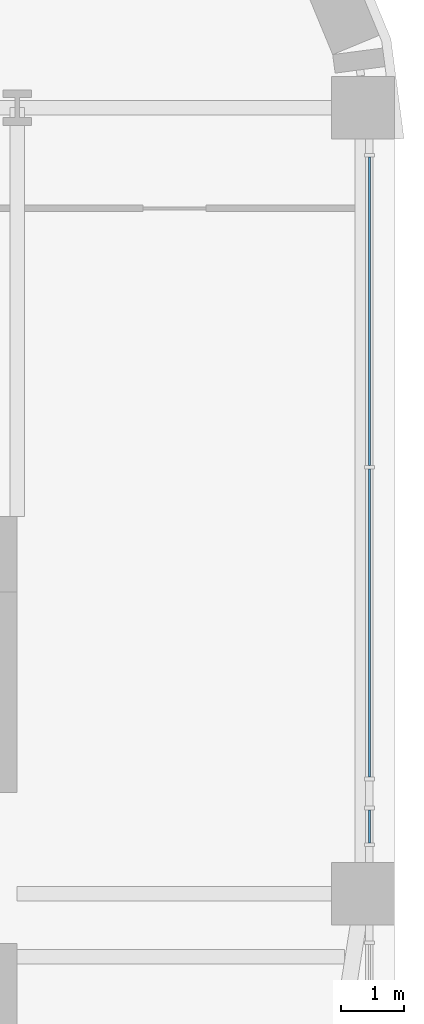
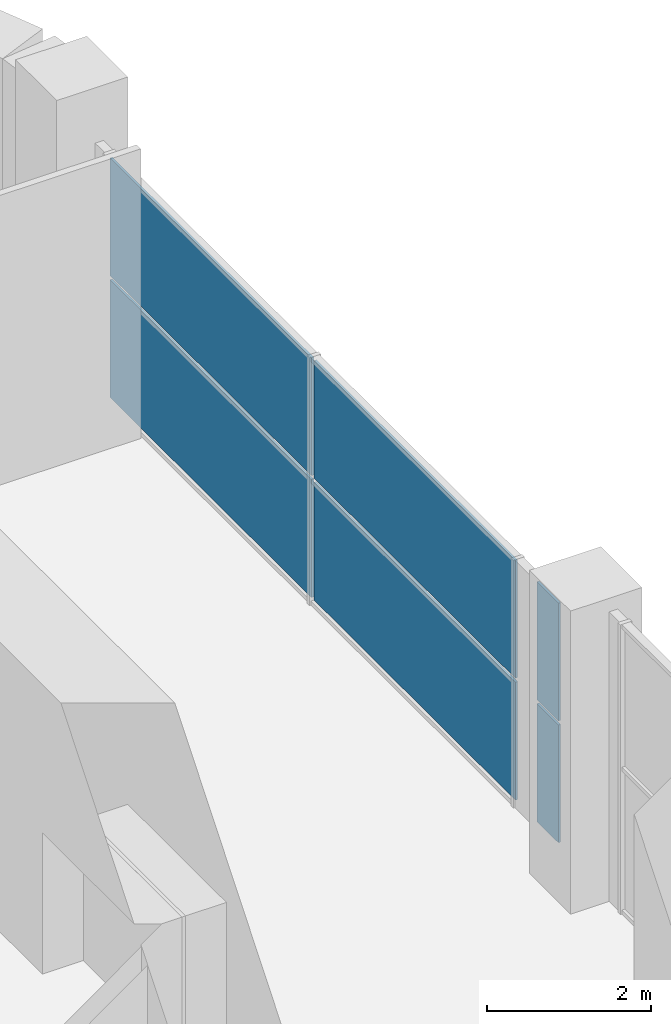
# One storey, part 15 of 24: 6 plates, 2 elements without a shape of their own.
"""IFC4 building model written with IfcOpenShell, lengths in metres."""

from ifc_helpers import new_model, si_unit, direction, frame, origin, origin_2d, place, context, subcontext, project, spatial, rectangle, extrude, material, layer, layer_set, type_object, element, aggregate, save


model = new_model("IFC4")

# Units and contexts
model_context = context("Model", 3, precision=1e-05, world=origin(), true_north=direction((0.0, 1.0)))
body_context = subcontext(model_context, "Body", "Model", "MODEL_VIEW")
ifc_project = project(units=[si_unit("LENGTHUNIT", "METRE"), si_unit("AREAUNIT", "SQUARE_METRE"), si_unit("VOLUMEUNIT", "CUBIC_METRE"), si_unit("PLANEANGLEUNIT", "RADIAN"), si_unit("MASSUNIT", "GRAM", prefix="KILO")], contexts=[model_context])

# Site, building, storey
site_placement = place(None, origin())
site = spatial("IfcSite", under=ifc_project, at=site_placement, CompositionType="ELEMENT")
building_placement = place(site_placement, origin())
building = spatial("IfcBuilding", under=site, at=building_placement, Name="Zellij Exchange Tower", CompositionType="ELEMENT")
storey_placement = place(building_placement, frame((0.0, 0.0, 48.0)))
storey = spatial("IfcBuildingStorey", under=building, at=storey_placement, Name="L08", CompositionType="ELEMENT", Elevation=48.0)

# Curtain wall, plates
ifc_material_1 = material(Name="Aluminium frame, clear insulating glass", Category="aluminium")
curtain_wall_type = type_object("IfcCurtainWallType", Name="ENV-CW1 Sky-garden glazing", PredefinedType="NOTDEFINED", material=ifc_material_1)
curtain_wall_1_placement = place(storey_placement, origin())
curtain_wall_1 = element("IfcCurtainWall", 1, at=curtain_wall_1_placement, inside=storey, type_object=curtain_wall_type, Name="cw.L08.07d", PredefinedType="NOTDEFINED")
ifc_material_2 = material(Name="Insulating glass unit, clear", Category="glass")
ifc_layer = layer(ifc_material_2, 0.031982421875)
ifc_layer_set = layer_set([ifc_layer], Name="Insulating glass unit, clear")
plate_type = type_object("IfcPlateType", Name="ENV-CW1P Glazed panel 32", PredefinedType="CURTAIN_PANEL", material=ifc_layer_set)
plate_1_placement = place(storey_placement, frame((32.60009765625, -6.927734375, 0.06005859375), z_axis=(0.0, 0.0, 1.0), x_axis=(0.0, 1.0, 0.0)))
plate_1 = element("IfcPlate", 2, at=plate_1_placement, type_object=plate_type, Name="CW1 panel 1.1", PredefinedType="CURTAIN_PANEL", context=body_context, shape_type="SweptSolid", body=[
    extrude(rectangle(XDim=0.524658203125, YDim=0.031982421875, at=origin_2d()), origin(), (0.0, 0.0, 1.0), 1.748779296875),
])
plate_2_placement = place(storey_placement, frame((32.60009765625, -6.927734375, 1.869140625), z_axis=(0.0, 0.0, 1.0), x_axis=(0.0, 1.0, 0.0)))
plate_2 = element("IfcPlate", 3, at=plate_2_placement, type_object=plate_type, Name="CW1 panel 1.2", PredefinedType="CURTAIN_PANEL", context=body_context, shape_type="SweptSolid", body=[
    extrude(rectangle(XDim=0.524658203125, YDim=0.031982421875, at=origin_2d()), origin(), (0.0, 0.0, 1.0), 1.748779296875),
])
aggregate(curtain_wall_1, [plate_1, plate_2])

curtain_wall_2_placement = place(storey_placement, origin())
curtain_wall_2 = element("IfcCurtainWall", 4, at=curtain_wall_2_placement, inside=storey, type_object=curtain_wall_type, Name="cw.L08.07e", PredefinedType="NOTDEFINED")
plate_3_placement = place(storey_placement, frame((32.60009765625, -3.695556640625, 0.06005859375), z_axis=(0.0, 0.0, 1.0), x_axis=(0.0, 1.0, 0.0)))
plate_3 = element("IfcPlate", 5, at=plate_3_placement, type_object=plate_type, Name="CW1 panel 1.1", PredefinedType="CURTAIN_PANEL", context=body_context, shape_type="SweptSolid", body=[
    extrude(rectangle(XDim=4.899658203125, YDim=0.031982421875, at=origin_2d()), origin(), (0.0, 0.0, 1.0), 1.748779296875),
])
plate_4_placement = place(storey_placement, frame((32.60009765625, -3.695556640625, 1.869140625), z_axis=(0.0, 0.0, 1.0), x_axis=(0.0, 1.0, 0.0)))
plate_4 = element("IfcPlate", 6, at=plate_4_placement, type_object=plate_type, Name="CW1 panel 1.2", PredefinedType="CURTAIN_PANEL", context=body_context, shape_type="SweptSolid", body=[
    extrude(rectangle(XDim=4.899658203125, YDim=0.031982421875, at=origin_2d()), origin(), (0.0, 0.0, 1.0), 1.748779296875),
])
plate_5_placement = place(storey_placement, frame((32.60009765625, 1.263916015625, 0.06005859375), z_axis=(0.0, 0.0, 1.0), x_axis=(0.0, 1.0, 0.0)))
plate_5 = element("IfcPlate", 7, at=plate_5_placement, type_object=plate_type, Name="CW1 panel 2.1", PredefinedType="CURTAIN_PANEL", context=body_context, shape_type="SweptSolid", body=[
    extrude(rectangle(XDim=4.899658203125, YDim=0.031982421875, at=origin_2d()), origin(), (0.0, 0.0, 1.0), 1.748779296875),
])
plate_6_placement = place(storey_placement, frame((32.60009765625, 1.263916015625, 1.869140625), z_axis=(0.0, 0.0, 1.0), x_axis=(0.0, 1.0, 0.0)))
plate_6 = element("IfcPlate", 8, at=plate_6_placement, type_object=plate_type, Name="CW1 panel 2.2", PredefinedType="CURTAIN_PANEL", context=body_context, shape_type="SweptSolid", body=[
    extrude(rectangle(XDim=4.899658203125, YDim=0.031982421875, at=origin_2d()), origin(), (0.0, 0.0, 1.0), 1.748779296875),
])
aggregate(curtain_wall_2, [plate_3, plate_4, plate_5, plate_6])

save(model, "model.ifc")
